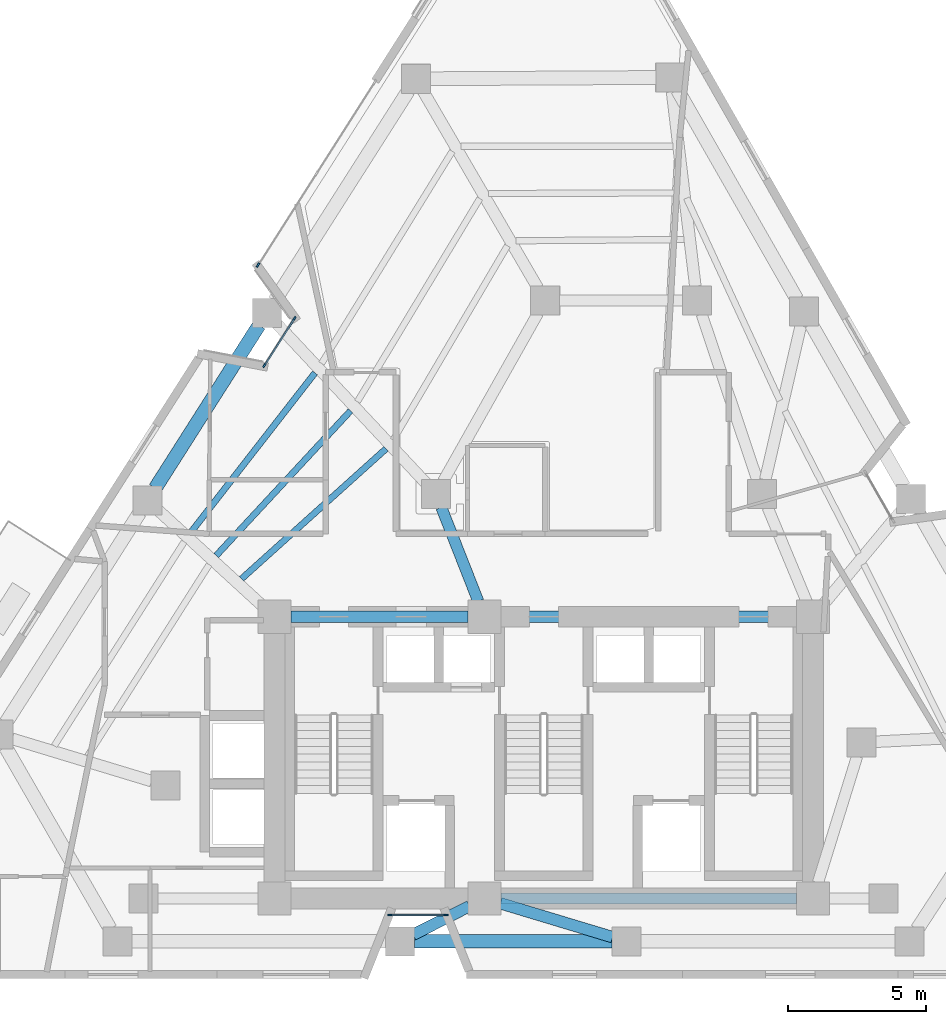
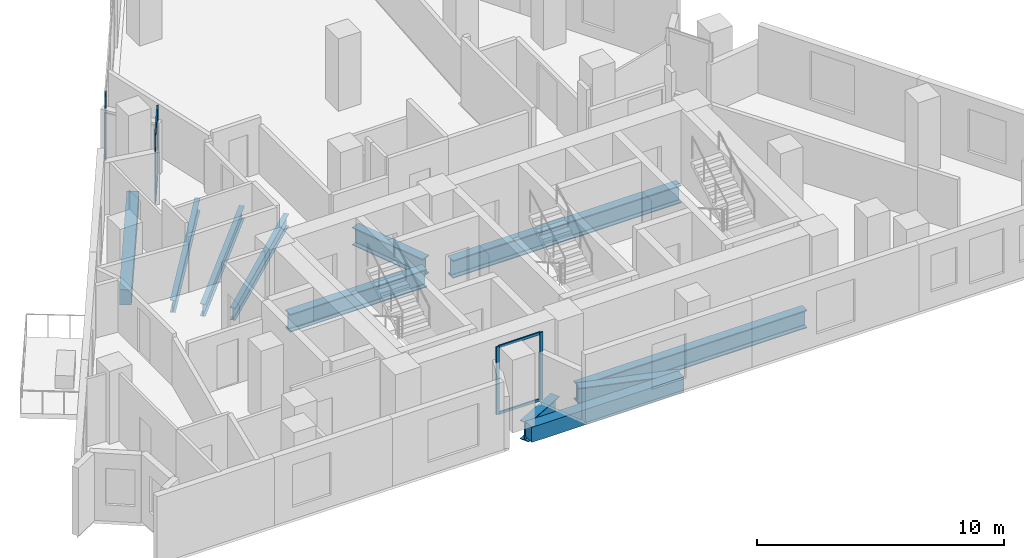
# One storey, part 2 of 11: 11 beams, 9 members, 3 elements without a shape of their own.
"""IFC4 building model written with IfcOpenShell, lengths in metres."""

from ifc_helpers import new_model, si_unit, direction, frame, origin, origin_2d, place, context, subcontext, project, spatial, rectangle, i_section, extrude, material, layer, layer_set, material_profile, profile_set, type_object, element, aggregate, save


model = new_model("IFC4")

# Units and contexts
model_context = context("Model", 3, precision=1e-05, world=origin(), true_north=direction((0.0, 1.0)))
body_context = subcontext(model_context, "Body", "Model", "MODEL_VIEW")
ifc_project = project(units=[si_unit("LENGTHUNIT", "METRE"), si_unit("AREAUNIT", "SQUARE_METRE"), si_unit("VOLUMEUNIT", "CUBIC_METRE"), si_unit("PLANEANGLEUNIT", "RADIAN"), si_unit("MASSUNIT", "GRAM", prefix="KILO")], contexts=[model_context])

# Site, building, storey
site_placement = place(None, origin())
site = spatial("IfcSite", under=ifc_project, at=site_placement, CompositionType="ELEMENT")
building_placement = place(site_placement, origin())
building = spatial("IfcBuilding", under=site, at=building_placement, Name="Almagre Mirador Tower", CompositionType="ELEMENT")
storey_placement = place(building_placement, frame((0.0, 0.0, 142.800048828125)))
storey = spatial("IfcBuildingStorey", under=building, at=storey_placement, Name="L36", CompositionType="ELEMENT", Elevation=142.800048828125)

# Beams
ifc_material_1 = material(Name="Steel ASTM A992 Grade 50", Category="steel")
ifc_material_profile_1 = material_profile(ifc_material_1, i_section(OverallWidth=0.22802734375, OverallDepth=0.60791015625, WebThickness=0.01123046875, FlangeThickness=0.017333984375, FilletRadius=0.02001953125, at=origin_2d()), Name="W24X76")
ifc_profile_set_1 = profile_set([ifc_material_profile_1], Name="Steel ASTM A992 Grade 50")
beam_type_1 = type_object("IfcBeamType", Name="BM-JST-W24X76", PredefinedType="JOIST", material=ifc_profile_set_1)
beam_1_placement = place(storey_placement, frame((29.017333984375, 23.580322265625, -0.553955078125), z_axis=(-0.614263953367, -0.789100624505, 0.0), x_axis=(0.789100624505, -0.614263953367, 0.0)))
element("IfcBeam", 1, at=beam_1_placement, inside=storey, type_object=beam_type_1, Name="L36 secondary floor joist PC10-PC11.1", PredefinedType="JOIST", context=body_context, shape_type="SweptSolid", body=[
    extrude(i_section(OverallWidth=0.22802734375, OverallDepth=0.60791015625, WebThickness=0.01123046875, FlangeThickness=0.017333984375, FilletRadius=0.02001953125, at=origin_2d()), origin(), (0.0, 0.0, 1.0), 7.317138671875),
])
beam_2_placement = place(storey_placement, frame((30.302001953125, 22.20458984375, -0.553955078125), z_axis=(-0.680188995277, -0.733036786733, 0.0), x_axis=(0.733036786733, -0.680188995277, 0.0)))
element("IfcBeam", 2, at=beam_2_placement, inside=storey, type_object=beam_type_1, Name="L36 secondary floor joist PC10-PC11.2", PredefinedType="JOIST", context=body_context, shape_type="SweptSolid", body=[
    extrude(i_section(OverallWidth=0.22802734375, OverallDepth=0.60791015625, WebThickness=0.01123046875, FlangeThickness=0.017333984375, FilletRadius=0.02001953125, at=origin_2d()), origin(), (0.0, 0.0, 1.0), 7.146728515625),
])
beam_3_placement = place(storey_placement, frame((31.58740234375, 20.830810546875, -0.553955078125), z_axis=(-0.743228574816, -0.669037581588, 0.0), x_axis=(0.669037581588, -0.743228574816, 0.0)))
element("IfcBeam", 3, at=beam_3_placement, inside=storey, type_object=beam_type_1, Name="L36 secondary floor joist PC10-PC11.3", PredefinedType="JOIST", context=body_context, shape_type="SweptSolid", body=[
    extrude(i_section(OverallWidth=0.22802734375, OverallDepth=0.60791015625, WebThickness=0.01123046875, FlangeThickness=0.017333984375, FilletRadius=0.02001953125, at=origin_2d()), origin(), (0.0, 0.0, 1.0), 7.03564453125),
])
ifc_material_2 = material(Name="Precast concrete C50/60", Category="concrete")
ifc_material_profile_2 = material_profile(ifc_material_2, rectangle(XDim=0.5, YDim=0.75, at=origin_2d()), Name="RC500X750")
ifc_profile_set_2 = profile_set([ifc_material_profile_2], Name="Precast concrete C50/60")
beam_type_2 = type_object("IfcBeamType", Name="BM-SPN-RC500X750", PredefinedType="SPANDREL", material=ifc_profile_set_2)
beam_4_placement = place(storey_placement, frame((32.62890625, 3.0, -0.625), z_axis=(1.0, 0.0, 0.0), x_axis=(0.0, 1.0, 0.0)))
element("IfcBeam", 4, at=beam_4_placement, inside=storey, type_object=beam_type_2, Name="L36 perimeter spandrel beam PC02-PC03", PredefinedType="SPANDREL", context=body_context, shape_type="SweptSolid", body=[
    extrude(rectangle(XDim=0.5, YDim=0.75, at=origin_2d()), origin(), (0.0, 0.0, 1.0), 7.14208984375),
])
beam_5_placement = place(storey_placement, frame((26.989990234375, 25.30419921875, -0.625), z_axis=(-0.537135259931, -0.843496124792, 0.0), x_axis=(0.843496124792, -0.537135259931, 0.0)))
element("IfcBeam", 5, at=beam_5_placement, inside=storey, type_object=beam_type_2, Name="L36 perimeter spandrel beam PC10-PC11", PredefinedType="SPANDREL", context=body_context, shape_type="SweptSolid", body=[
    extrude(rectangle(XDim=0.5, YDim=0.75, at=origin_2d()), origin(), (0.0, 0.0, 1.0), 6.992919921875),
])
ifc_material_3 = material(Name="Steel ASTM A992 Grade 50", Category="steel")
ifc_material_profile_3 = material_profile(ifc_material_3, i_section(OverallWidth=0.404052734375, OverallDepth=0.884033203125, WebThickness=0.0244140625, FlangeThickness=0.0439453125, FilletRadius=0.02490234375, at=origin_2d()), Name="W33X291")
ifc_profile_set_3 = profile_set([ifc_material_profile_3], Name="Steel ASTM A992 Grade 50")
beam_type_3 = type_object("IfcBeamType", Name="BM-STL-W33X291", PredefinedType="BEAM", material=ifc_profile_set_3)
beam_6_placement = place(storey_placement, frame((35.75, 4.550048828125, -0.692138671875), z_axis=(1.0, 0.0, 0.0), x_axis=(0.0, 1.0, 0.0)))
element("IfcBeam", 6, at=beam_6_placement, inside=storey, type_object=beam_type_3, Name="L36 core tie girder CC2-CC3", PredefinedType="BEAM", context=body_context, shape_type="SweptSolid", body=[
    extrude(i_section(OverallWidth=0.404052734375, OverallDepth=0.884033203125, WebThickness=0.0244140625, FlangeThickness=0.0439453125, FilletRadius=0.02490234375, at=origin_2d()), origin(), (0.0, 0.0, 1.0), 10.699951171875),
])
beam_7_placement = place(storey_placement, frame((28.14990234375, 14.75, -0.692138671875), z_axis=(1.0, 0.0, 0.0), x_axis=(0.0, 1.0, 0.0)))
element("IfcBeam", 7, at=beam_7_placement, inside=storey, type_object=beam_type_3, Name="L36 core tie girder CC4-CC5", PredefinedType="BEAM", context=body_context, shape_type="SweptSolid", body=[
    extrude(i_section(OverallWidth=0.404052734375, OverallDepth=0.884033203125, WebThickness=0.0244140625, FlangeThickness=0.0439453125, FilletRadius=0.02490234375, at=origin_2d()), origin(), (0.0, 0.0, 1.0), 6.400146484375),
])
beam_8_placement = place(storey_placement, frame((35.75, 14.75, -0.692138671875), z_axis=(1.0, 0.0, 0.0), x_axis=(0.0, 1.0, 0.0)))
element("IfcBeam", 8, at=beam_8_placement, inside=storey, type_object=beam_type_3, Name="L36 core tie girder CC5-CC6", PredefinedType="BEAM", context=body_context, shape_type="SweptSolid", body=[
    extrude(i_section(OverallWidth=0.404052734375, OverallDepth=0.884033203125, WebThickness=0.0244140625, FlangeThickness=0.0439453125, FilletRadius=0.02490234375, at=origin_2d()), origin(), (0.0, 0.0, 1.0), 10.699951171875),
])
beam_9_placement = place(storey_placement, frame((33.592041015625, 18.71142578125, -0.692138671875), z_axis=(0.365997304164, -0.930615910752, 0.0), x_axis=(0.930615910752, 0.365997304164, 0.0)))
element("IfcBeam", 9, at=beam_9_placement, inside=storey, type_object=beam_type_3, Name="L36 core tie girder MC8-CC5", PredefinedType="BEAM", context=body_context, shape_type="SweptSolid", body=[
    extrude(i_section(OverallWidth=0.404052734375, OverallDepth=0.884033203125, WebThickness=0.0244140625, FlangeThickness=0.0439453125, FilletRadius=0.02490234375, at=origin_2d()), origin(), (0.0, 0.0, 1.0), 3.65673828125),
])
ifc_material_4 = material(Name="Steel ASTM A992 Grade 50", Category="steel")
ifc_material_profile_4 = material_profile(ifc_material_4, i_section(OverallWidth=0.41796875, OverallDepth=0.927001953125, WebThickness=0.019287109375, FlangeThickness=0.031982421875, FilletRadius=0.028076171875, at=origin_2d()), Name="W36X231")
ifc_profile_set_4 = profile_set([ifc_material_profile_4], Name="Steel ASTM A992 Grade 50")
beam_type_4 = type_object("IfcBeamType", Name="BM-STL-W36X231", PredefinedType="BEAM", material=ifc_profile_set_4)
beam_10_placement = place(storey_placement, frame((32.572021484375, 3.238037109375, -0.713623046875), z_axis=(0.891231211208, 0.453549256606, 0.0), x_axis=(-0.453549256606, 0.891231211208, 0.0)))
element("IfcBeam", 10, at=beam_10_placement, inside=storey, type_object=beam_type_4, Name="L36 radial floor girder PC02-CC2", PredefinedType="BEAM", context=body_context, shape_type="SweptSolid", body=[
    extrude(i_section(OverallWidth=0.41796875, OverallDepth=0.927001953125, WebThickness=0.019287109375, FlangeThickness=0.031982421875, FilletRadius=0.028076171875, at=origin_2d()), origin(), (0.0, 0.0, 1.0), 2.29248046875),
])
beam_11_placement = place(storey_placement, frame((39.793212890625, 3.1513671875, -0.713623046875), z_axis=(-0.957501498255, 0.288428294104, 0.0), x_axis=(-0.288428294104, -0.957501498255, 0.0)))
element("IfcBeam", 11, at=beam_11_placement, inside=storey, type_object=beam_type_4, Name="L36 radial floor girder PC03-CC2", PredefinedType="BEAM", context=body_context, shape_type="SweptSolid", body=[
    extrude(i_section(OverallWidth=0.41796875, OverallDepth=0.927001953125, WebThickness=0.019287109375, FlangeThickness=0.031982421875, FilletRadius=0.028076171875, at=origin_2d()), origin(), (0.0, 0.0, 1.0), 4.249267578125),
])

# Curtain wall, members
ifc_material_5 = material(Name="Black anodized aluminium", Category="aluminium")
ifc_layer_1 = layer(ifc_material_5, 0.169921875)
ifc_layer_set_1 = layer_set([ifc_layer_1], Name="Black anodized aluminium")
curtain_wall_type_1 = type_object("IfcCurtainWallType", Name="CW-CRS-SYS", PredefinedType="NOTDEFINED", material=ifc_layer_set_1)
curtain_wall_1_placement = place(storey_placement, origin())
curtain_wall_1 = element("IfcCurtainWall", 12, at=curtain_wall_1_placement, inside=storey, type_object=curtain_wall_type_1, Name="L36 vertical crease curtain wall 01", PredefinedType="NOTDEFINED")
ifc_material_6 = material(Name="Black anodized aluminium", Category="aluminium")
ifc_material_profile_5 = material_profile(ifc_material_6, rectangle(XDim=0.06005859375, YDim=0.14990234375, at=origin_2d()), Name="CWM60X150")
ifc_profile_set_5 = profile_set([ifc_material_profile_5], Name="Black anodized aluminium")
member_type_1 = type_object("IfcMemberType", Name="MBR-CWM60X150", PredefinedType="MULLION", material=ifc_profile_set_5)
member_1_placement = place(storey_placement, frame((27.18408203125, 23.84130859375, 0.0), z_axis=(0.0, 0.0, 1.0), x_axis=(-0.843425018441, 0.537246906243, 0.0)))
member_1 = element("IfcMember", 13, at=member_1_placement, type_object=member_type_1, Name="CW-4 mullion 1", PredefinedType="MULLION", context=body_context, shape_type="SweptSolid", body=[
    extrude(rectangle(XDim=0.06005859375, YDim=0.14990234375, at=origin_2d()), origin(), (0.0, 0.0, 1.0), 3.349853515625),
])
member_2_placement = place(storey_placement, frame((28.27490234375, 25.5537109375, 0.0), z_axis=(0.0, 0.0, 1.0), x_axis=(-0.843425018441, 0.537246906243, 0.0)))
member_2 = element("IfcMember", 14, at=member_2_placement, type_object=member_type_1, Name="CW-4 mullion 2", PredefinedType="MULLION", context=body_context, shape_type="SweptSolid", body=[
    extrude(rectangle(XDim=0.06005859375, YDim=0.14990234375, at=origin_2d()), origin(), (0.0, 0.0, 1.0), 3.349853515625),
])

curtain_wall_2_placement = place(storey_placement, origin())
curtain_wall_2 = element("IfcCurtainWall", 15, at=curtain_wall_2_placement, inside=storey, type_object=curtain_wall_type_1, Name="L36 vertical crease curtain wall 04", PredefinedType="NOTDEFINED")
member_3_placement = place(storey_placement, frame((33.759033203125, 3.949951171875, 0.0), z_axis=(0.0, 0.0, 1.0), x_axis=(0.0, -1.0, 0.0)))
member_3 = element("IfcMember", 16, at=member_3_placement, type_object=member_type_1, Name="CW-4 mullion 1", PredefinedType="MULLION", context=body_context, shape_type="SweptSolid", body=[
    extrude(rectangle(XDim=0.06005859375, YDim=0.14990234375, at=origin_2d()), origin(), (0.0, 0.0, 1.0), 3.349853515625),
])
member_4_placement = place(storey_placement, frame((31.72900390625, 3.949951171875, 0.0), z_axis=(0.0, 0.0, 1.0), x_axis=(0.0, -1.0, 0.0)))
member_4 = element("IfcMember", 17, at=member_4_placement, type_object=member_type_1, Name="CW-4 mullion 2", PredefinedType="MULLION", context=body_context, shape_type="SweptSolid", body=[
    extrude(rectangle(XDim=0.06005859375, YDim=0.14990234375, at=origin_2d()), origin(), (0.0, 0.0, 1.0), 3.349853515625),
])

# Curtain wall, member
ifc_material_7 = material(Name="Black anodized aluminium", Category="aluminium")
ifc_layer_2 = layer(ifc_material_7, 0.199951171875)
ifc_layer_set_2 = layer_set([ifc_layer_2], Name="Black anodized aluminium")
curtain_wall_type_2 = type_object("IfcCurtainWallType", Name="CW-RES-H-SYS", PredefinedType="NOTDEFINED", material=ifc_layer_set_2)
curtain_wall_3_placement = place(storey_placement, origin())
curtain_wall_3 = element("IfcCurtainWall", 18, at=curtain_wall_3_placement, inside=storey, type_object=curtain_wall_type_2, Name="L36 curtain wall run 02", PredefinedType="NOTDEFINED")
ifc_material_8 = material(Name="Black anodized aluminium", Category="aluminium")
ifc_material_profile_6 = material_profile(ifc_material_8, rectangle(XDim=0.06494140625, YDim=0.179931640625, at=origin_2d()), Name="CWM65X180")
ifc_profile_set_6 = profile_set([ifc_material_profile_6], Name="Black anodized aluminium")
member_type_2 = type_object("IfcMemberType", Name="MBR-CWM65X180", PredefinedType="MULLION", material=ifc_profile_set_6)
member_5_placement = place(storey_placement, frame((26.954345703125, 27.482421875, 0.0), z_axis=(0.0, 0.0, 1.0), x_axis=(-0.843513390766, 0.537108145162, 0.0)))
member_5 = element("IfcMember", 19, at=member_5_placement, type_object=member_type_2, Name="CW-3 mullion 1", PredefinedType="MULLION", context=body_context, shape_type="SweptSolid", body=[
    extrude(rectangle(XDim=0.06494140625, YDim=0.179931640625, at=origin_2d()), origin(), (0.0, 0.0, 1.0), 3.349853515625),
])
aggregate(curtain_wall_3, [member_5])

# Member
ifc_material_9 = material(Name="Black anodized aluminium", Category="aluminium")
ifc_material_profile_7 = material_profile(ifc_material_9, rectangle(XDim=0.06005859375, YDim=0.1298828125, at=origin_2d()), Name="CWT60X130")
ifc_profile_set_7 = profile_set([ifc_material_profile_7], Name="Black anodized aluminium")
member_type_3 = type_object("IfcMemberType", Name="MBR-CWT60X130", PredefinedType="USERDEFINED", material=ifc_profile_set_7)
member_6_placement = place(storey_placement, frame((27.2001953125, 23.86669921875, 0.030029296875), z_axis=(0.537308405524, 0.843385841328, 0.0), x_axis=(-0.843385841328, 0.537308405524, 0.0)))
member_6 = element("IfcMember", 20, at=member_6_placement, type_object=member_type_3, Name="CW-4 transom 1.1", ObjectType="TRANSOM", PredefinedType="USERDEFINED", context=body_context, shape_type="SweptSolid", body=[
    extrude(rectangle(XDim=0.06005859375, YDim=0.1298828125, at=origin_2d()), origin(), (0.0, 0.0, 1.0), 1.97021484375),
])

member_7_placement = place(storey_placement, frame((27.2001953125, 23.86669921875, 3.320068359375), z_axis=(0.537308405524, 0.843385841328, 0.0), x_axis=(-0.843385841328, 0.537308405524, 0.0)))
member_7 = element("IfcMember", 21, at=member_7_placement, type_object=member_type_3, Name="CW-4 transom 1.2", ObjectType="TRANSOM", PredefinedType="USERDEFINED", context=body_context, shape_type="SweptSolid", body=[
    extrude(rectangle(XDim=0.06005859375, YDim=0.1298828125, at=origin_2d()), origin(), (0.0, 0.0, 1.0), 1.97021484375),
])

aggregate(curtain_wall_1, [member_1, member_2, member_6, member_7])

member_8_placement = place(storey_placement, frame((33.72900390625, 3.949951171875, 0.030029296875), z_axis=(-1.0, 0.0, 0.0), x_axis=(0.0, -1.0, 0.0)))
member_8 = element("IfcMember", 22, at=member_8_placement, type_object=member_type_3, Name="CW-4 transom 1.1", ObjectType="TRANSOM", PredefinedType="USERDEFINED", context=body_context, shape_type="SweptSolid", body=[
    extrude(rectangle(XDim=0.06005859375, YDim=0.1298828125, at=origin_2d()), origin(), (0.0, 0.0, 1.0), 1.969970703125),
])

member_9_placement = place(storey_placement, frame((33.72900390625, 3.949951171875, 3.320068359375), z_axis=(-1.0, 0.0, 0.0), x_axis=(0.0, -1.0, 0.0)))
member_9 = element("IfcMember", 23, at=member_9_placement, type_object=member_type_3, Name="CW-4 transom 1.2", ObjectType="TRANSOM", PredefinedType="USERDEFINED", context=body_context, shape_type="SweptSolid", body=[
    extrude(rectangle(XDim=0.06005859375, YDim=0.1298828125, at=origin_2d()), origin(), (0.0, 0.0, 1.0), 1.969970703125),
])

aggregate(curtain_wall_2, [member_3, member_4, member_8, member_9])

save(model, "model.ifc")
